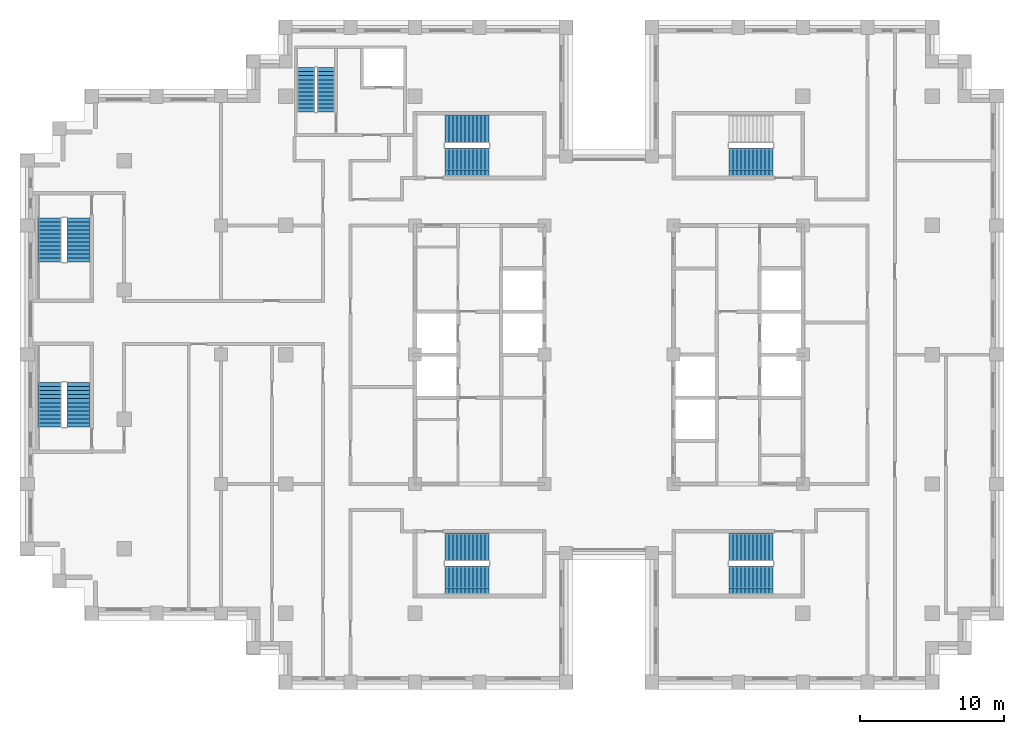
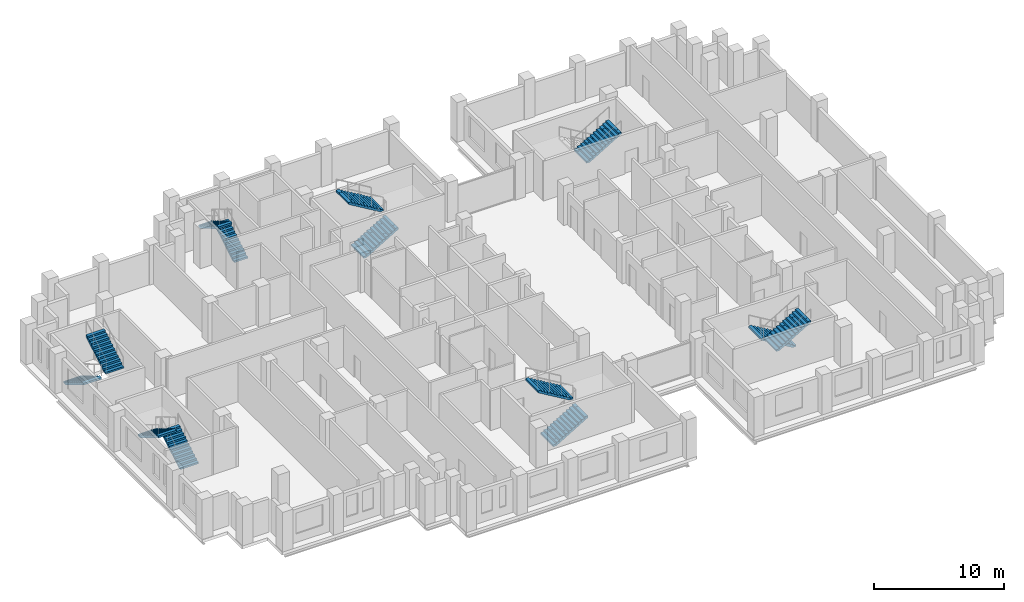
# One storey, part 12 of 15: 13 stair flights, 7 elements without a shape of their own.
"""IFC4 building model written with IfcOpenShell, lengths in metres."""

import ifcopenshell
import ifcopenshell.guid

model = None  # the IFC model being written
_history = None  # IfcOwnerHistory: only IFC2X3 demands one
_inside = {}  # id of a spatial element -> (the spatial element, [elements in it])
_under = {}  # id of a project, library or spatial element -> (it, [spatial elements below it])
_declared = {}  # id of a project -> (the project, [libraries it declares])
_typed = {}  # id of a type object -> (the type object, [elements of that type])
_made_of = {}  # id of a material, layer set ... -> (it, [elements and type objects made of it])


def new_model(schema):
    """Start an empty IFC model of exactly this schema.

    Asked for "IFC4X3", IfcOpenShell would pick the latest addendum, in which some entities
    have other attributes; the version numbers below select the first issue.
    IFC2X3 requires an IfcOwnerHistory on every rooted entity: one is made here for all.
    """
    global model, _history
    if schema == "IFC4X3":
        model = ifcopenshell.file(schema_version=(4, 3, 0, 0))
    else:
        model = ifcopenshell.file(schema=schema)
    _inside.clear()
    _under.clear()
    _declared.clear()
    _typed.clear()
    _made_of.clear()
    _history = None
    if model.schema == "IFC2X3":
        org = make("IfcOrganization", Name="unknown")
        user = make(
            "IfcPersonAndOrganization",
            ThePerson=make("IfcPerson", FamilyName="unknown"),
            TheOrganization=org,
        )
        app = make(
            "IfcApplication",
            ApplicationDeveloper=org,
            Version="unknown",
            ApplicationFullName="unknown",
            ApplicationIdentifier="unknown",
        )
        _history = make(
            "IfcOwnerHistory",
            OwningUser=user,
            OwningApplication=app,
            ChangeAction="ADDED",
            CreationDate=0,
        )
    return model


def make(cls, **values):
    """One entity of the class cls with the attributes given. An attribute that is None is left unset."""
    return model.create_entity(
        cls, **{name: value for name, value in values.items() if value is not None}
    )


def rooted(cls, **values):
    """An entity with a GlobalId (a new one), such as an element, a storey or a relation."""
    return make(cls, GlobalId=ifcopenshell.guid.new(), OwnerHistory=_history, **values)


def si_unit(unit_type, name, prefix=None):
    """IfcSIUnit, for example si_unit("LENGTHUNIT", "METRE", prefix="MILLI")."""
    return make("IfcSIUnit", UnitType=unit_type, Prefix=prefix, Name=name)


def assignment(units):
    """IfcUnitAssignment: the units of a project."""
    return None if units is None else make("IfcUnitAssignment", Units=units)


def point(xyz):
    """IfcCartesianPoint."""
    return None if xyz is None else make("IfcCartesianPoint", Coordinates=xyz)


def direction(xyz):
    """IfcDirection."""
    return None if xyz is None else make("IfcDirection", DirectionRatios=xyz)


def frame(location, z_axis=None, x_axis=None):
    """IfcAxis2Placement3D, a coordinate frame: its origin and axes. An axis left out is left unset."""
    return make(
        "IfcAxis2Placement3D",
        Location=point(location),
        Axis=direction(z_axis),
        RefDirection=direction(x_axis),
    )


def origin():
    """The frame at (0, 0, 0) with its axes left unset."""
    return frame((0.0, 0.0, 0.0))


def place(relative_to, where):
    """IfcLocalPlacement: puts the frame where relative to a parent placement (None: the world)."""
    return make(
        "IfcLocalPlacement", PlacementRelTo=relative_to, RelativePlacement=where
    )


def context(
    kind, dimensions, precision=None, world=None, true_north=None, identifier=None
):
    """IfcGeometricRepresentationContext, for example the 3D "Model" context."""
    return make(
        "IfcGeometricRepresentationContext",
        ContextIdentifier=identifier,
        ContextType=kind,
        CoordinateSpaceDimension=dimensions,
        Precision=precision,
        WorldCoordinateSystem=world,
        TrueNorth=true_north,
    )


def subcontext(parent, identifier, kind, view, scale=None):
    """IfcGeometricRepresentationSubContext, for example "Body" below "Model"."""
    return make(
        "IfcGeometricRepresentationSubContext",
        ContextIdentifier=identifier,
        ContextType=kind,
        ParentContext=parent,
        TargetScale=scale,
        TargetView=view,
    )


def project(units=None, contexts=None):
    """IfcProject with its units and contexts."""
    return rooted(
        "IfcProject",
        Name="project",
        RepresentationContexts=contexts,
        UnitsInContext=assignment(units),
    )


def spatial(cls, under=None, at=None, **own):
    """A site, building, storey or space (cls), placed at a placement, below another one or the project."""
    s = rooted(cls, ObjectPlacement=at, **own)
    if under is not None:
        _under.setdefault(under.id(), (under, []))[1].append(s)
    return s


def polyline(points):
    """IfcPolyline through the points."""
    return make("IfcPolyline", Points=[point(p) for p in points])


def outline(outer, holes=None, kind="AREA"):
    """IfcArbitraryClosedProfileDef: a profile drawn as a closed curve; with holes, ...WithVoids."""
    if holes is None:
        return make("IfcArbitraryClosedProfileDef", ProfileType=kind, OuterCurve=outer)
    return make(
        "IfcArbitraryProfileDefWithVoids",
        ProfileType=kind,
        OuterCurve=outer,
        InnerCurves=holes,
    )


def extrude(swept, where, along, depth):
    """IfcExtrudedAreaSolid: the profile swept, set in the frame where, extruded along a direction by depth."""
    return make(
        "IfcExtrudedAreaSolid",
        SweptArea=swept,
        Position=where,
        ExtrudedDirection=direction(along),
        Depth=depth,
    )


def shape(context_of_items, identifier, shape_type, items):
    """IfcShapeRepresentation: the items that make up one representation, for example the "Body"."""
    return make(
        "IfcShapeRepresentation",
        ContextOfItems=context_of_items,
        RepresentationIdentifier=identifier,
        RepresentationType=shape_type,
        Items=items,
    )


def material(Name=None, Category=None):
    """IfcMaterial."""
    return make("IfcMaterial", Name=Name, Category=Category)


def made_of(thing, what):
    """Note that an element or type object is made of a material, layer set ...; save() writes the relation."""
    if what is not None:
        _made_of.setdefault(what.id(), (what, []))[1].append(thing)
    return thing


def type_object(cls, material=None, **own):
    """A type object (cls), such as IfcWallType, which elements share."""
    return made_of(rooted(cls, **own), material)


def element(
    cls,
    number,
    at=None,
    inside=None,
    cuts=None,
    type_object=None,
    material=None,
    context=None,
    identifier="Body",
    shape_type=None,
    held_by="IfcProductDefinitionShape",
    body=None,
    shapes=None,
    **own,
):
    """One element of the class cls, such as IfcWall. Its Tag is "e" and its number.

    at: its placement. inside: the storey or other place that contains it. cuts: it is an
    opening in that element (IfcRelVoidsElement). A single representation is given by context,
    identifier, shape_type and body (its items); several are given by shapes. held_by: the class
    of the entity that holds the representations. save() writes the other relations.
    """
    e = rooted(cls, Tag="e%d" % number, ObjectPlacement=at, **own)
    if body is not None:
        shapes = [shape(context, identifier, shape_type, body)]
    if shapes is not None:
        e.Representation = make(held_by, Representations=shapes)
    if inside is not None:
        _inside.setdefault(inside.id(), (inside, []))[1].append(e)
    if cuts is not None:
        rooted(
            "IfcRelVoidsElement", RelatingBuildingElement=cuts, RelatedOpeningElement=e
        )
    if type_object is not None:
        _typed.setdefault(type_object.id(), (type_object, []))[1].append(e)
    return made_of(e, material)


def aggregate(whole, parts):
    """IfcRelAggregates: a whole, such as a stair, and the parts it consists of."""
    return rooted("IfcRelAggregates", RelatingObject=whole, RelatedObjects=parts)


def save(model, path):
    """Write the relations noted so far, then the file.

    IfcRelAggregates (storeys below a building ...), IfcRelContainedInSpatialStructure (elements
    in a storey), IfcRelDefinesByType, IfcRelAssociatesMaterial and IfcRelDeclares: one each for
    every whole, place, type object, material and project.
    """
    for whole, parts in _under.values():
        aggregate(whole, parts)
    for where, things in _inside.values():
        rooted(
            "IfcRelContainedInSpatialStructure",
            RelatedElements=things,
            RelatingStructure=where,
        )
    for kind, things in _typed.values():
        rooted("IfcRelDefinesByType", RelatedObjects=things, RelatingType=kind)
    for what, things in _made_of.values():
        rooted("IfcRelAssociatesMaterial", RelatedObjects=things, RelatingMaterial=what)
    for by, libraries in _declared.values():
        rooted("IfcRelDeclares", RelatingContext=by, RelatedDefinitions=libraries)
    model.write(path)


model = new_model("IFC4")

# Units and contexts
model_context = context("Model", 3, precision=1e-05, world=origin(), true_north=direction((0.0, 1.0)))
body_context = subcontext(model_context, "Body", "Model", "MODEL_VIEW")
ifc_project = project(units=[si_unit("LENGTHUNIT", "METRE"), si_unit("AREAUNIT", "SQUARE_METRE"), si_unit("VOLUMEUNIT", "CUBIC_METRE"), si_unit("PLANEANGLEUNIT", "RADIAN"), si_unit("MASSUNIT", "GRAM", prefix="KILO")], contexts=[model_context])

# Site, building, storey
site_placement = place(None, origin())
site = spatial("IfcSite", under=ifc_project, at=site_placement, CompositionType="ELEMENT")
building_placement = place(site_placement, origin())
building = spatial("IfcBuilding", under=site, at=building_placement, Name="Corbelhall Arena Tower", CompositionType="ELEMENT")
storey_placement = place(building_placement, frame((0.0, 0.0, 220.0)))
storey = spatial("IfcBuildingStorey", under=building, at=storey_placement, Name="L46", CompositionType="ELEMENT", Elevation=220.0)

# Stair, stair flights
ifc_material = material(Name="Concrete C40/50", Category="concrete")
stair_type = type_object("IfcStairType", Name="IN-ST-TOWER", PredefinedType="HALF_TURN_STAIR", material=ifc_material)
stair_1_placement = place(storey_placement, origin())
stair_1 = element("IfcStair", 1, at=stair_1_placement, inside=storey, type_object=stair_type, Name="L46 Exit stair ST1", PredefinedType="HALF_TURN_STAIR")
stair_flight_type = type_object("IfcStairFlightType", Name="IN-SFL-RC", PredefinedType="STRAIGHT", material=ifc_material)
stair_flight_1_placement = place(storey_placement, frame((-11.425048828125, 13.39990234375, 0.0), z_axis=(0.0, 0.0, 1.0), x_axis=(1.0, 0.0, 0.0)))
stair_flight_1 = element("IfcStairFlight", 2, at=stair_flight_1_placement, type_object=stair_flight_type, Name="ST1 flight 1", NumberOfRisers=12, NumberOfTreads=11, PredefinedType="STRAIGHT", RiserHeight=0.166666667, TreadLength=0.28, context=body_context, shape_type="SweptSolid", body=[
    extrude(outline(polyline([(0.0, 0.0), (0.0, 0.166748046875), (0.280029296875, 0.166748046875), (0.280029296875, 0.333251953125), (0.56005859375, 0.333251953125), (0.56005859375, 0.5), (0.840087890625, 0.5), (0.840087890625, 0.666748046875), (1.1201171875, 0.666748046875), (1.1201171875, 0.833251953125), (1.39990234375, 0.833251953125), (1.39990234375, 1.0), (1.679931640625, 1.0), (1.679931640625, 1.166748046875), (1.9599609375, 1.166748046875), (1.9599609375, 1.333251953125), (2.239990234375, 1.333251953125), (2.239990234375, 1.5), (2.52001953125, 1.5), (2.52001953125, 1.666748046875), (2.800048828125, 1.666748046875), (2.800048828125, 1.833251953125), (3.080078125, 1.833251953125), (3.080078125, 2.0), (3.080078125, 1.658935546875), (0.29296875, 0.0), (0.0, 0.0)])), frame((0.0, 0.97509765625, 0.0), z_axis=(0.0, -1.0, 0.0), x_axis=(1.0, 0.0, 0.0)), (0.0, 0.0, 1.0), 0.449951171875),
    extrude(outline(polyline([(0.0, 0.0), (0.0, 0.166748046875), (0.280029296875, 0.166748046875), (0.280029296875, 0.333251953125), (0.56005859375, 0.333251953125), (0.56005859375, 0.5), (0.840087890625, 0.5), (0.840087890625, 0.666748046875), (1.1201171875, 0.666748046875), (1.1201171875, 0.833251953125), (1.39990234375, 0.833251953125), (1.39990234375, 1.0), (1.679931640625, 1.0), (1.679931640625, 1.166748046875), (1.9599609375, 1.166748046875), (1.9599609375, 1.333251953125), (2.239990234375, 1.333251953125), (2.239990234375, 1.5), (2.52001953125, 1.5), (2.52001953125, 1.666748046875), (2.800048828125, 1.666748046875), (2.800048828125, 1.833251953125), (3.080078125, 1.833251953125), (3.080078125, 2.0), (3.080078125, 1.658935546875), (0.29296875, 0.0), (0.0, 0.0)])), frame((0.0, 0.52099609375, 0.0), z_axis=(0.0, -1.0, 0.0), x_axis=(1.0, 0.0, 0.0)), (0.0, 0.0, 1.0), 1.0419921875),
    extrude(outline(polyline([(0.0, 0.0), (0.0, 0.166748046875), (0.280029296875, 0.166748046875), (0.280029296875, 0.333251953125), (0.56005859375, 0.333251953125), (0.56005859375, 0.5), (0.840087890625, 0.5), (0.840087890625, 0.666748046875), (1.1201171875, 0.666748046875), (1.1201171875, 0.833251953125), (1.39990234375, 0.833251953125), (1.39990234375, 1.0), (1.679931640625, 1.0), (1.679931640625, 1.166748046875), (1.9599609375, 1.166748046875), (1.9599609375, 1.333251953125), (2.239990234375, 1.333251953125), (2.239990234375, 1.5), (2.52001953125, 1.5), (2.52001953125, 1.666748046875), (2.800048828125, 1.666748046875), (2.800048828125, 1.833251953125), (3.080078125, 1.833251953125), (3.080078125, 2.0), (3.080078125, 1.658935546875), (0.29296875, 0.0), (0.0, 0.0)])), frame((0.0, -0.52490234375, 0.0), z_axis=(0.0, -1.0, 0.0), x_axis=(1.0, 0.0, 0.0)), (0.0, 0.0, 1.0), 0.449951171875),
])
stair_flight_2_placement = place(storey_placement, frame((-8.344970703125, 15.699951171875, 2.0), z_axis=(0.0, 0.0, 1.0), x_axis=(-1.0, 0.0, 0.0)))
stair_flight_2 = element("IfcStairFlight", 3, at=stair_flight_2_placement, type_object=stair_flight_type, Name="ST1 flight 2", NumberOfRisers=12, NumberOfTreads=11, PredefinedType="STRAIGHT", RiserHeight=0.166666667, TreadLength=0.28, context=body_context, shape_type="SweptSolid", body=[
    extrude(outline(polyline([(0.0, 0.0), (0.0, 0.166748046875), (0.280029296875, 0.166748046875), (0.280029296875, 0.333251953125), (0.56005859375, 0.333251953125), (0.56005859375, 0.5), (0.840087890625, 0.5), (0.840087890625, 0.666748046875), (1.1201171875, 0.666748046875), (1.1201171875, 0.833251953125), (1.39990234375, 0.833251953125), (1.39990234375, 1.0), (1.679931640625, 1.0), (1.679931640625, 1.166748046875), (1.9599609375, 1.166748046875), (1.9599609375, 1.333251953125), (2.239990234375, 1.333251953125), (2.239990234375, 1.5), (2.52001953125, 1.5), (2.52001953125, 1.666748046875), (2.800048828125, 1.666748046875), (2.800048828125, 1.833251953125), (3.080078125, 1.833251953125), (3.080078125, 2.0), (3.080078125, 1.658935546875), (0.29296875, 0.0), (0.0, 0.0)])), frame((0.0, 0.97509765625, 0.0), z_axis=(0.0, -1.0, 0.0), x_axis=(1.0, 0.0, 0.0)), (0.0, 0.0, 1.0), 0.449951171875),
    extrude(outline(polyline([(0.0, 0.0), (0.0, 0.166748046875), (0.280029296875, 0.166748046875), (0.280029296875, 0.333251953125), (0.56005859375, 0.333251953125), (0.56005859375, 0.5), (0.840087890625, 0.5), (0.840087890625, 0.666748046875), (1.1201171875, 0.666748046875), (1.1201171875, 0.833251953125), (1.39990234375, 0.833251953125), (1.39990234375, 1.0), (1.679931640625, 1.0), (1.679931640625, 1.166748046875), (1.9599609375, 1.166748046875), (1.9599609375, 1.333251953125), (2.239990234375, 1.333251953125), (2.239990234375, 1.5), (2.52001953125, 1.5), (2.52001953125, 1.666748046875), (2.800048828125, 1.666748046875), (2.800048828125, 1.833251953125), (3.080078125, 1.833251953125), (3.080078125, 2.0), (3.080078125, 1.658935546875), (0.29296875, 0.0), (0.0, 0.0)])), frame((0.0, 0.52099609375, 0.0), z_axis=(0.0, -1.0, 0.0), x_axis=(1.0, 0.0, 0.0)), (0.0, 0.0, 1.0), 1.0419921875),
    extrude(outline(polyline([(0.0, 0.0), (0.0, 0.166748046875), (0.280029296875, 0.166748046875), (0.280029296875, 0.333251953125), (0.56005859375, 0.333251953125), (0.56005859375, 0.5), (0.840087890625, 0.5), (0.840087890625, 0.666748046875), (1.1201171875, 0.666748046875), (1.1201171875, 0.833251953125), (1.39990234375, 0.833251953125), (1.39990234375, 1.0), (1.679931640625, 1.0), (1.679931640625, 1.166748046875), (1.9599609375, 1.166748046875), (1.9599609375, 1.333251953125), (2.239990234375, 1.333251953125), (2.239990234375, 1.5), (2.52001953125, 1.5), (2.52001953125, 1.666748046875), (2.800048828125, 1.666748046875), (2.800048828125, 1.833251953125), (3.080078125, 1.833251953125), (3.080078125, 2.0), (3.080078125, 1.658935546875), (0.29296875, 0.0), (0.0, 0.0)])), frame((0.0, -0.52490234375, 0.0), z_axis=(0.0, -1.0, 0.0), x_axis=(1.0, 0.0, 0.0)), (0.0, 0.0, 1.0), 0.449951171875),
])
aggregate(stair_1, [stair_flight_1, stair_flight_2])

stair_2_placement = place(storey_placement, origin())
stair_2 = element("IfcStair", 4, at=stair_2_placement, inside=storey, type_object=stair_type, Name="L46 Exit stair ST2", PredefinedType="HALF_TURN_STAIR")
stair_flight_3_placement = place(storey_placement, frame((-11.425048828125, -15.699951171875, 0.0), z_axis=(0.0, 0.0, 1.0), x_axis=(1.0, 0.0, 0.0)))
stair_flight_3 = element("IfcStairFlight", 5, at=stair_flight_3_placement, type_object=stair_flight_type, Name="ST2 flight 1", NumberOfRisers=12, NumberOfTreads=11, PredefinedType="STRAIGHT", RiserHeight=0.166666667, TreadLength=0.28, context=body_context, shape_type="SweptSolid", body=[
    extrude(outline(polyline([(0.0, 0.0), (0.0, 0.166748046875), (0.280029296875, 0.166748046875), (0.280029296875, 0.333251953125), (0.56005859375, 0.333251953125), (0.56005859375, 0.5), (0.840087890625, 0.5), (0.840087890625, 0.666748046875), (1.1201171875, 0.666748046875), (1.1201171875, 0.833251953125), (1.39990234375, 0.833251953125), (1.39990234375, 1.0), (1.679931640625, 1.0), (1.679931640625, 1.166748046875), (1.9599609375, 1.166748046875), (1.9599609375, 1.333251953125), (2.239990234375, 1.333251953125), (2.239990234375, 1.5), (2.52001953125, 1.5), (2.52001953125, 1.666748046875), (2.800048828125, 1.666748046875), (2.800048828125, 1.833251953125), (3.080078125, 1.833251953125), (3.080078125, 2.0), (3.080078125, 1.658935546875), (0.29296875, 0.0), (0.0, 0.0)])), frame((0.0, 0.97509765625, 0.0), z_axis=(0.0, -1.0, 0.0), x_axis=(1.0, 0.0, 0.0)), (0.0, 0.0, 1.0), 0.449951171875),
    extrude(outline(polyline([(0.0, 0.0), (0.0, 0.166748046875), (0.280029296875, 0.166748046875), (0.280029296875, 0.333251953125), (0.56005859375, 0.333251953125), (0.56005859375, 0.5), (0.840087890625, 0.5), (0.840087890625, 0.666748046875), (1.1201171875, 0.666748046875), (1.1201171875, 0.833251953125), (1.39990234375, 0.833251953125), (1.39990234375, 1.0), (1.679931640625, 1.0), (1.679931640625, 1.166748046875), (1.9599609375, 1.166748046875), (1.9599609375, 1.333251953125), (2.239990234375, 1.333251953125), (2.239990234375, 1.5), (2.52001953125, 1.5), (2.52001953125, 1.666748046875), (2.800048828125, 1.666748046875), (2.800048828125, 1.833251953125), (3.080078125, 1.833251953125), (3.080078125, 2.0), (3.080078125, 1.658935546875), (0.29296875, 0.0), (0.0, 0.0)])), frame((0.0, 0.52099609375, 0.0), z_axis=(0.0, -1.0, 0.0), x_axis=(1.0, 0.0, 0.0)), (0.0, 0.0, 1.0), 1.0419921875),
    extrude(outline(polyline([(0.0, 0.0), (0.0, 0.166748046875), (0.280029296875, 0.166748046875), (0.280029296875, 0.333251953125), (0.56005859375, 0.333251953125), (0.56005859375, 0.5), (0.840087890625, 0.5), (0.840087890625, 0.666748046875), (1.1201171875, 0.666748046875), (1.1201171875, 0.833251953125), (1.39990234375, 0.833251953125), (1.39990234375, 1.0), (1.679931640625, 1.0), (1.679931640625, 1.166748046875), (1.9599609375, 1.166748046875), (1.9599609375, 1.333251953125), (2.239990234375, 1.333251953125), (2.239990234375, 1.5), (2.52001953125, 1.5), (2.52001953125, 1.666748046875), (2.800048828125, 1.666748046875), (2.800048828125, 1.833251953125), (3.080078125, 1.833251953125), (3.080078125, 2.0), (3.080078125, 1.658935546875), (0.29296875, 0.0), (0.0, 0.0)])), frame((0.0, -0.52490234375, 0.0), z_axis=(0.0, -1.0, 0.0), x_axis=(1.0, 0.0, 0.0)), (0.0, 0.0, 1.0), 0.449951171875),
])
stair_flight_4_placement = place(storey_placement, frame((-8.344970703125, -13.39990234375, 2.0), z_axis=(0.0, 0.0, 1.0), x_axis=(-1.0, 0.0, 0.0)))
stair_flight_4 = element("IfcStairFlight", 6, at=stair_flight_4_placement, type_object=stair_flight_type, Name="ST2 flight 2", NumberOfRisers=12, NumberOfTreads=11, PredefinedType="STRAIGHT", RiserHeight=0.166666667, TreadLength=0.28, context=body_context, shape_type="SweptSolid", body=[
    extrude(outline(polyline([(0.0, 0.0), (0.0, 0.166748046875), (0.280029296875, 0.166748046875), (0.280029296875, 0.333251953125), (0.56005859375, 0.333251953125), (0.56005859375, 0.5), (0.840087890625, 0.5), (0.840087890625, 0.666748046875), (1.1201171875, 0.666748046875), (1.1201171875, 0.833251953125), (1.39990234375, 0.833251953125), (1.39990234375, 1.0), (1.679931640625, 1.0), (1.679931640625, 1.166748046875), (1.9599609375, 1.166748046875), (1.9599609375, 1.333251953125), (2.239990234375, 1.333251953125), (2.239990234375, 1.5), (2.52001953125, 1.5), (2.52001953125, 1.666748046875), (2.800048828125, 1.666748046875), (2.800048828125, 1.833251953125), (3.080078125, 1.833251953125), (3.080078125, 2.0), (3.080078125, 1.658935546875), (0.29296875, 0.0), (0.0, 0.0)])), frame((0.0, 0.97509765625, 0.0), z_axis=(0.0, -1.0, 0.0), x_axis=(1.0, 0.0, 0.0)), (0.0, 0.0, 1.0), 0.449951171875),
    extrude(outline(polyline([(0.0, 0.0), (0.0, 0.166748046875), (0.280029296875, 0.166748046875), (0.280029296875, 0.333251953125), (0.56005859375, 0.333251953125), (0.56005859375, 0.5), (0.840087890625, 0.5), (0.840087890625, 0.666748046875), (1.1201171875, 0.666748046875), (1.1201171875, 0.833251953125), (1.39990234375, 0.833251953125), (1.39990234375, 1.0), (1.679931640625, 1.0), (1.679931640625, 1.166748046875), (1.9599609375, 1.166748046875), (1.9599609375, 1.333251953125), (2.239990234375, 1.333251953125), (2.239990234375, 1.5), (2.52001953125, 1.5), (2.52001953125, 1.666748046875), (2.800048828125, 1.666748046875), (2.800048828125, 1.833251953125), (3.080078125, 1.833251953125), (3.080078125, 2.0), (3.080078125, 1.658935546875), (0.29296875, 0.0), (0.0, 0.0)])), frame((0.0, 0.52099609375, 0.0), z_axis=(0.0, -1.0, 0.0), x_axis=(1.0, 0.0, 0.0)), (0.0, 0.0, 1.0), 1.0419921875),
    extrude(outline(polyline([(0.0, 0.0), (0.0, 0.166748046875), (0.280029296875, 0.166748046875), (0.280029296875, 0.333251953125), (0.56005859375, 0.333251953125), (0.56005859375, 0.5), (0.840087890625, 0.5), (0.840087890625, 0.666748046875), (1.1201171875, 0.666748046875), (1.1201171875, 0.833251953125), (1.39990234375, 0.833251953125), (1.39990234375, 1.0), (1.679931640625, 1.0), (1.679931640625, 1.166748046875), (1.9599609375, 1.166748046875), (1.9599609375, 1.333251953125), (2.239990234375, 1.333251953125), (2.239990234375, 1.5), (2.52001953125, 1.5), (2.52001953125, 1.666748046875), (2.800048828125, 1.666748046875), (2.800048828125, 1.833251953125), (3.080078125, 1.833251953125), (3.080078125, 2.0), (3.080078125, 1.658935546875), (0.29296875, 0.0), (0.0, 0.0)])), frame((0.0, -0.52490234375, 0.0), z_axis=(0.0, -1.0, 0.0), x_axis=(1.0, 0.0, 0.0)), (0.0, 0.0, 1.0), 0.449951171875),
])
aggregate(stair_2, [stair_flight_3, stair_flight_4])

# Stair, stair flight
stair_3_placement = place(storey_placement, origin())
stair_3 = element("IfcStair", 7, at=stair_3_placement, inside=storey, type_object=stair_type, Name="L46 Exit stair ST3", PredefinedType="HALF_TURN_STAIR")
stair_flight_5_placement = place(storey_placement, frame((8.344970703125, 13.39990234375, 2.0), z_axis=(0.0, 0.0, 1.0), x_axis=(1.0, 0.0, 0.0)))
stair_flight_5 = element("IfcStairFlight", 8, at=stair_flight_5_placement, type_object=stair_flight_type, Name="ST3 flight 2", NumberOfRisers=12, NumberOfTreads=11, PredefinedType="STRAIGHT", RiserHeight=0.166666667, TreadLength=0.28, context=body_context, shape_type="SweptSolid", body=[
    extrude(outline(polyline([(0.0, 0.0), (0.0, 0.166748046875), (0.280029296875, 0.166748046875), (0.280029296875, 0.333251953125), (0.56005859375, 0.333251953125), (0.56005859375, 0.5), (0.840087890625, 0.5), (0.840087890625, 0.666748046875), (1.1201171875, 0.666748046875), (1.1201171875, 0.833251953125), (1.39990234375, 0.833251953125), (1.39990234375, 1.0), (1.679931640625, 1.0), (1.679931640625, 1.166748046875), (1.9599609375, 1.166748046875), (1.9599609375, 1.333251953125), (2.239990234375, 1.333251953125), (2.239990234375, 1.5), (2.52001953125, 1.5), (2.52001953125, 1.666748046875), (2.800048828125, 1.666748046875), (2.800048828125, 1.833251953125), (3.080078125, 1.833251953125), (3.080078125, 2.0), (3.080078125, 1.658935546875), (0.29296875, 0.0), (0.0, 0.0)])), frame((0.0, 0.97509765625, 0.0), z_axis=(0.0, -1.0, 0.0), x_axis=(1.0, 0.0, 0.0)), (0.0, 0.0, 1.0), 0.449951171875),
    extrude(outline(polyline([(0.0, 0.0), (0.0, 0.166748046875), (0.280029296875, 0.166748046875), (0.280029296875, 0.333251953125), (0.56005859375, 0.333251953125), (0.56005859375, 0.5), (0.840087890625, 0.5), (0.840087890625, 0.666748046875), (1.1201171875, 0.666748046875), (1.1201171875, 0.833251953125), (1.39990234375, 0.833251953125), (1.39990234375, 1.0), (1.679931640625, 1.0), (1.679931640625, 1.166748046875), (1.9599609375, 1.166748046875), (1.9599609375, 1.333251953125), (2.239990234375, 1.333251953125), (2.239990234375, 1.5), (2.52001953125, 1.5), (2.52001953125, 1.666748046875), (2.800048828125, 1.666748046875), (2.800048828125, 1.833251953125), (3.080078125, 1.833251953125), (3.080078125, 2.0), (3.080078125, 1.658935546875), (0.29296875, 0.0), (0.0, 0.0)])), frame((0.0, 0.52099609375, 0.0), z_axis=(0.0, -1.0, 0.0), x_axis=(1.0, 0.0, 0.0)), (0.0, 0.0, 1.0), 1.0419921875),
    extrude(outline(polyline([(0.0, 0.0), (0.0, 0.166748046875), (0.280029296875, 0.166748046875), (0.280029296875, 0.333251953125), (0.56005859375, 0.333251953125), (0.56005859375, 0.5), (0.840087890625, 0.5), (0.840087890625, 0.666748046875), (1.1201171875, 0.666748046875), (1.1201171875, 0.833251953125), (1.39990234375, 0.833251953125), (1.39990234375, 1.0), (1.679931640625, 1.0), (1.679931640625, 1.166748046875), (1.9599609375, 1.166748046875), (1.9599609375, 1.333251953125), (2.239990234375, 1.333251953125), (2.239990234375, 1.5), (2.52001953125, 1.5), (2.52001953125, 1.666748046875), (2.800048828125, 1.666748046875), (2.800048828125, 1.833251953125), (3.080078125, 1.833251953125), (3.080078125, 2.0), (3.080078125, 1.658935546875), (0.29296875, 0.0), (0.0, 0.0)])), frame((0.0, -0.52490234375, 0.0), z_axis=(0.0, -1.0, 0.0), x_axis=(1.0, 0.0, 0.0)), (0.0, 0.0, 1.0), 0.449951171875),
])
aggregate(stair_3, [stair_flight_5])

# Stair, stair flights
stair_4_placement = place(storey_placement, origin())
stair_4 = element("IfcStair", 9, at=stair_4_placement, inside=storey, type_object=stair_type, Name="L46 Exit stair ST4", PredefinedType="HALF_TURN_STAIR")
stair_flight_6_placement = place(storey_placement, frame((11.425048828125, -13.39990234375, 0.0), z_axis=(0.0, 0.0, 1.0), x_axis=(-1.0, 0.0, 0.0)))
stair_flight_6 = element("IfcStairFlight", 10, at=stair_flight_6_placement, type_object=stair_flight_type, Name="ST4 flight 1", NumberOfRisers=12, NumberOfTreads=11, PredefinedType="STRAIGHT", RiserHeight=0.166666667, TreadLength=0.28, context=body_context, shape_type="SweptSolid", body=[
    extrude(outline(polyline([(0.0, 0.0), (0.0, 0.166748046875), (0.280029296875, 0.166748046875), (0.280029296875, 0.333251953125), (0.56005859375, 0.333251953125), (0.56005859375, 0.5), (0.840087890625, 0.5), (0.840087890625, 0.666748046875), (1.1201171875, 0.666748046875), (1.1201171875, 0.833251953125), (1.39990234375, 0.833251953125), (1.39990234375, 1.0), (1.679931640625, 1.0), (1.679931640625, 1.166748046875), (1.9599609375, 1.166748046875), (1.9599609375, 1.333251953125), (2.239990234375, 1.333251953125), (2.239990234375, 1.5), (2.52001953125, 1.5), (2.52001953125, 1.666748046875), (2.800048828125, 1.666748046875), (2.800048828125, 1.833251953125), (3.080078125, 1.833251953125), (3.080078125, 2.0), (3.080078125, 1.658935546875), (0.29296875, 0.0), (0.0, 0.0)])), frame((0.0, 0.97509765625, 0.0), z_axis=(0.0, -1.0, 0.0), x_axis=(1.0, 0.0, 0.0)), (0.0, 0.0, 1.0), 0.449951171875),
    extrude(outline(polyline([(0.0, 0.0), (0.0, 0.166748046875), (0.280029296875, 0.166748046875), (0.280029296875, 0.333251953125), (0.56005859375, 0.333251953125), (0.56005859375, 0.5), (0.840087890625, 0.5), (0.840087890625, 0.666748046875), (1.1201171875, 0.666748046875), (1.1201171875, 0.833251953125), (1.39990234375, 0.833251953125), (1.39990234375, 1.0), (1.679931640625, 1.0), (1.679931640625, 1.166748046875), (1.9599609375, 1.166748046875), (1.9599609375, 1.333251953125), (2.239990234375, 1.333251953125), (2.239990234375, 1.5), (2.52001953125, 1.5), (2.52001953125, 1.666748046875), (2.800048828125, 1.666748046875), (2.800048828125, 1.833251953125), (3.080078125, 1.833251953125), (3.080078125, 2.0), (3.080078125, 1.658935546875), (0.29296875, 0.0), (0.0, 0.0)])), frame((0.0, 0.52099609375, 0.0), z_axis=(0.0, -1.0, 0.0), x_axis=(1.0, 0.0, 0.0)), (0.0, 0.0, 1.0), 1.0419921875),
    extrude(outline(polyline([(0.0, 0.0), (0.0, 0.166748046875), (0.280029296875, 0.166748046875), (0.280029296875, 0.333251953125), (0.56005859375, 0.333251953125), (0.56005859375, 0.5), (0.840087890625, 0.5), (0.840087890625, 0.666748046875), (1.1201171875, 0.666748046875), (1.1201171875, 0.833251953125), (1.39990234375, 0.833251953125), (1.39990234375, 1.0), (1.679931640625, 1.0), (1.679931640625, 1.166748046875), (1.9599609375, 1.166748046875), (1.9599609375, 1.333251953125), (2.239990234375, 1.333251953125), (2.239990234375, 1.5), (2.52001953125, 1.5), (2.52001953125, 1.666748046875), (2.800048828125, 1.666748046875), (2.800048828125, 1.833251953125), (3.080078125, 1.833251953125), (3.080078125, 2.0), (3.080078125, 1.658935546875), (0.29296875, 0.0), (0.0, 0.0)])), frame((0.0, -0.52490234375, 0.0), z_axis=(0.0, -1.0, 0.0), x_axis=(1.0, 0.0, 0.0)), (0.0, 0.0, 1.0), 0.449951171875),
])
stair_flight_7_placement = place(storey_placement, frame((8.344970703125, -15.699951171875, 2.0), z_axis=(0.0, 0.0, 1.0), x_axis=(1.0, 0.0, 0.0)))
stair_flight_7 = element("IfcStairFlight", 11, at=stair_flight_7_placement, type_object=stair_flight_type, Name="ST4 flight 2", NumberOfRisers=12, NumberOfTreads=11, PredefinedType="STRAIGHT", RiserHeight=0.166666667, TreadLength=0.28, context=body_context, shape_type="SweptSolid", body=[
    extrude(outline(polyline([(0.0, 0.0), (0.0, 0.166748046875), (0.280029296875, 0.166748046875), (0.280029296875, 0.333251953125), (0.56005859375, 0.333251953125), (0.56005859375, 0.5), (0.840087890625, 0.5), (0.840087890625, 0.666748046875), (1.1201171875, 0.666748046875), (1.1201171875, 0.833251953125), (1.39990234375, 0.833251953125), (1.39990234375, 1.0), (1.679931640625, 1.0), (1.679931640625, 1.166748046875), (1.9599609375, 1.166748046875), (1.9599609375, 1.333251953125), (2.239990234375, 1.333251953125), (2.239990234375, 1.5), (2.52001953125, 1.5), (2.52001953125, 1.666748046875), (2.800048828125, 1.666748046875), (2.800048828125, 1.833251953125), (3.080078125, 1.833251953125), (3.080078125, 2.0), (3.080078125, 1.658935546875), (0.29296875, 0.0), (0.0, 0.0)])), frame((0.0, 0.97509765625, 0.0), z_axis=(0.0, -1.0, 0.0), x_axis=(1.0, 0.0, 0.0)), (0.0, 0.0, 1.0), 0.449951171875),
    extrude(outline(polyline([(0.0, 0.0), (0.0, 0.166748046875), (0.280029296875, 0.166748046875), (0.280029296875, 0.333251953125), (0.56005859375, 0.333251953125), (0.56005859375, 0.5), (0.840087890625, 0.5), (0.840087890625, 0.666748046875), (1.1201171875, 0.666748046875), (1.1201171875, 0.833251953125), (1.39990234375, 0.833251953125), (1.39990234375, 1.0), (1.679931640625, 1.0), (1.679931640625, 1.166748046875), (1.9599609375, 1.166748046875), (1.9599609375, 1.333251953125), (2.239990234375, 1.333251953125), (2.239990234375, 1.5), (2.52001953125, 1.5), (2.52001953125, 1.666748046875), (2.800048828125, 1.666748046875), (2.800048828125, 1.833251953125), (3.080078125, 1.833251953125), (3.080078125, 2.0), (3.080078125, 1.658935546875), (0.29296875, 0.0), (0.0, 0.0)])), frame((0.0, 0.52099609375, 0.0), z_axis=(0.0, -1.0, 0.0), x_axis=(1.0, 0.0, 0.0)), (0.0, 0.0, 1.0), 1.0419921875),
    extrude(outline(polyline([(0.0, 0.0), (0.0, 0.166748046875), (0.280029296875, 0.166748046875), (0.280029296875, 0.333251953125), (0.56005859375, 0.333251953125), (0.56005859375, 0.5), (0.840087890625, 0.5), (0.840087890625, 0.666748046875), (1.1201171875, 0.666748046875), (1.1201171875, 0.833251953125), (1.39990234375, 0.833251953125), (1.39990234375, 1.0), (1.679931640625, 1.0), (1.679931640625, 1.166748046875), (1.9599609375, 1.166748046875), (1.9599609375, 1.333251953125), (2.239990234375, 1.333251953125), (2.239990234375, 1.5), (2.52001953125, 1.5), (2.52001953125, 1.666748046875), (2.800048828125, 1.666748046875), (2.800048828125, 1.833251953125), (3.080078125, 1.833251953125), (3.080078125, 2.0), (3.080078125, 1.658935546875), (0.29296875, 0.0), (0.0, 0.0)])), frame((0.0, -0.52490234375, 0.0), z_axis=(0.0, -1.0, 0.0), x_axis=(1.0, 0.0, 0.0)), (0.0, 0.0, 1.0), 0.449951171875),
])
aggregate(stair_4, [stair_flight_6, stair_flight_7])

stair_5_placement = place(storey_placement, origin())
stair_5 = element("IfcStair", 12, at=stair_5_placement, inside=storey, type_object=stair_type, Name="L46 Exit stair SC1", PredefinedType="HALF_TURN_STAIR")
stair_flight_8_placement = place(storey_placement, frame((-38.89990234375, 9.52490234375, 0.0), z_axis=(0.0, 0.0, 1.0), x_axis=(0.0, -1.0, 0.0)))
stair_flight_8 = element("IfcStairFlight", 13, at=stair_flight_8_placement, type_object=stair_flight_type, Name="SC1 flight 1", NumberOfRisers=12, NumberOfTreads=11, PredefinedType="STRAIGHT", RiserHeight=0.166666667, TreadLength=0.28, context=body_context, shape_type="SweptSolid", body=[
    extrude(outline(polyline([(0.0, 0.0), (0.0, 0.166748046875), (0.280029296875, 0.166748046875), (0.280029296875, 0.333251953125), (0.56005859375, 0.333251953125), (0.56005859375, 0.5), (0.840087890625, 0.5), (0.840087890625, 0.666748046875), (1.1201171875, 0.666748046875), (1.1201171875, 0.833251953125), (1.39990234375, 0.833251953125), (1.39990234375, 1.0), (1.679931640625, 1.0), (1.679931640625, 1.166748046875), (1.9599609375, 1.166748046875), (1.9599609375, 1.333251953125), (2.239990234375, 1.333251953125), (2.239990234375, 1.5), (2.52001953125, 1.5), (2.52001953125, 1.666748046875), (2.800048828125, 1.666748046875), (2.800048828125, 1.833251953125), (3.080078125, 1.833251953125), (3.080078125, 2.0), (3.080078125, 1.658935546875), (0.29296875, 0.0), (0.0, 0.0)])), frame((0.0, 0.800048828125, 0.0), z_axis=(0.0, -1.0, 0.0), x_axis=(1.0, 0.0, 0.0)), (0.0, 0.0, 1.0), 1.60009765625),
])
stair_flight_9_placement = place(storey_placement, frame((-36.925048828125, 6.445068359375, 2.0), z_axis=(0.0, 0.0, 1.0), x_axis=(0.0, 1.0, 0.0)))
stair_flight_9 = element("IfcStairFlight", 14, at=stair_flight_9_placement, type_object=stair_flight_type, Name="SC1 flight 2", NumberOfRisers=12, NumberOfTreads=11, PredefinedType="STRAIGHT", RiserHeight=0.166666667, TreadLength=0.28, context=body_context, shape_type="SweptSolid", body=[
    extrude(outline(polyline([(0.0, 0.0), (0.0, 0.166748046875), (0.280029296875, 0.166748046875), (0.280029296875, 0.333251953125), (0.56005859375, 0.333251953125), (0.56005859375, 0.5), (0.840087890625, 0.5), (0.840087890625, 0.666748046875), (1.1201171875, 0.666748046875), (1.1201171875, 0.833251953125), (1.39990234375, 0.833251953125), (1.39990234375, 1.0), (1.679931640625, 1.0), (1.679931640625, 1.166748046875), (1.9599609375, 1.166748046875), (1.9599609375, 1.333251953125), (2.239990234375, 1.333251953125), (2.239990234375, 1.5), (2.52001953125, 1.5), (2.52001953125, 1.666748046875), (2.800048828125, 1.666748046875), (2.800048828125, 1.833251953125), (3.080078125, 1.833251953125), (3.080078125, 2.0), (3.080078125, 1.658935546875), (0.29296875, 0.0), (0.0, 0.0)])), frame((0.0, 0.800048828125, 0.0), z_axis=(0.0, -1.0, 0.0), x_axis=(1.0, 0.0, 0.0)), (0.0, 0.0, 1.0), 1.60009765625),
])
aggregate(stair_5, [stair_flight_8, stair_flight_9])

stair_6_placement = place(storey_placement, origin())
stair_6 = element("IfcStair", 15, at=stair_6_placement, inside=storey, type_object=stair_type, Name="L46 Exit stair SC2", PredefinedType="HALF_TURN_STAIR")
stair_flight_10_placement = place(storey_placement, frame((-36.925048828125, -5.02490234375, 0.0), z_axis=(0.0, 0.0, 1.0), x_axis=(0.0, 1.0, 0.0)))
stair_flight_10 = element("IfcStairFlight", 16, at=stair_flight_10_placement, type_object=stair_flight_type, Name="SC2 flight 1", NumberOfRisers=12, NumberOfTreads=11, PredefinedType="STRAIGHT", RiserHeight=0.166666667, TreadLength=0.28, context=body_context, shape_type="SweptSolid", body=[
    extrude(outline(polyline([(0.0, 0.0), (0.0, 0.166748046875), (0.280029296875, 0.166748046875), (0.280029296875, 0.333251953125), (0.56005859375, 0.333251953125), (0.56005859375, 0.5), (0.840087890625, 0.5), (0.840087890625, 0.666748046875), (1.1201171875, 0.666748046875), (1.1201171875, 0.833251953125), (1.39990234375, 0.833251953125), (1.39990234375, 1.0), (1.679931640625, 1.0), (1.679931640625, 1.166748046875), (1.9599609375, 1.166748046875), (1.9599609375, 1.333251953125), (2.239990234375, 1.333251953125), (2.239990234375, 1.5), (2.52001953125, 1.5), (2.52001953125, 1.666748046875), (2.800048828125, 1.666748046875), (2.800048828125, 1.833251953125), (3.080078125, 1.833251953125), (3.080078125, 2.0), (3.080078125, 1.658935546875), (0.29296875, 0.0), (0.0, 0.0)])), frame((0.0, 0.800048828125, 0.0), z_axis=(0.0, -1.0, 0.0), x_axis=(1.0, 0.0, 0.0)), (0.0, 0.0, 1.0), 1.60009765625),
])
stair_flight_11_placement = place(storey_placement, frame((-38.89990234375, -1.945068359375, 2.0), z_axis=(0.0, 0.0, 1.0), x_axis=(0.0, -1.0, 0.0)))
stair_flight_11 = element("IfcStairFlight", 17, at=stair_flight_11_placement, type_object=stair_flight_type, Name="SC2 flight 2", NumberOfRisers=12, NumberOfTreads=11, PredefinedType="STRAIGHT", RiserHeight=0.166666667, TreadLength=0.28, context=body_context, shape_type="SweptSolid", body=[
    extrude(outline(polyline([(0.0, 0.0), (0.0, 0.166748046875), (0.280029296875, 0.166748046875), (0.280029296875, 0.333251953125), (0.56005859375, 0.333251953125), (0.56005859375, 0.5), (0.840087890625, 0.5), (0.840087890625, 0.666748046875), (1.1201171875, 0.666748046875), (1.1201171875, 0.833251953125), (1.39990234375, 0.833251953125), (1.39990234375, 1.0), (1.679931640625, 1.0), (1.679931640625, 1.166748046875), (1.9599609375, 1.166748046875), (1.9599609375, 1.333251953125), (2.239990234375, 1.333251953125), (2.239990234375, 1.5), (2.52001953125, 1.5), (2.52001953125, 1.666748046875), (2.800048828125, 1.666748046875), (2.800048828125, 1.833251953125), (3.080078125, 1.833251953125), (3.080078125, 2.0), (3.080078125, 1.658935546875), (0.29296875, 0.0), (0.0, 0.0)])), frame((0.0, 0.800048828125, 0.0), z_axis=(0.0, -1.0, 0.0), x_axis=(1.0, 0.0, 0.0)), (0.0, 0.0, 1.0), 1.60009765625),
])
aggregate(stair_6, [stair_flight_10, stair_flight_11])

stair_7_placement = place(storey_placement, origin())
stair_7 = element("IfcStair", 18, at=stair_7_placement, inside=storey, type_object=stair_type, Name="L46 Exit stair ST5", PredefinedType="HALF_TURN_STAIR")
stair_flight_12_placement = place(storey_placement, frame((-19.695068359375, 16.89990234375, 0.0), z_axis=(0.0, 0.0, 1.0), x_axis=(0.0, 1.0, 0.0)))
stair_flight_12 = element("IfcStairFlight", 19, at=stair_flight_12_placement, type_object=stair_flight_type, Name="ST5 flight 1", NumberOfRisers=12, NumberOfTreads=11, PredefinedType="STRAIGHT", RiserHeight=0.166666667, TreadLength=0.28, context=body_context, shape_type="SweptSolid", body=[
    extrude(outline(polyline([(0.0, 0.0), (0.0, 0.166748046875), (0.280029296875, 0.166748046875), (0.280029296875, 0.333251953125), (0.56005859375, 0.333251953125), (0.56005859375, 0.5), (0.840087890625, 0.5), (0.840087890625, 0.666748046875), (1.1201171875, 0.666748046875), (1.1201171875, 0.833251953125), (1.39990234375, 0.833251953125), (1.39990234375, 1.0), (1.679931640625, 1.0), (1.679931640625, 1.166748046875), (1.9599609375, 1.166748046875), (1.9599609375, 1.333251953125), (2.239990234375, 1.333251953125), (2.239990234375, 1.5), (2.52001953125, 1.5), (2.52001953125, 1.666748046875), (2.800048828125, 1.666748046875), (2.800048828125, 1.833251953125), (3.080078125, 1.833251953125), (3.080078125, 2.0), (3.080078125, 1.658935546875), (0.29296875, 0.0), (0.0, 0.0)])), frame((0.0, 0.60009765625, 0.0), z_axis=(0.0, -1.0, 0.0), x_axis=(1.0, 0.0, 0.0)), (0.0, 0.0, 1.0), 1.199951171875),
])
stair_flight_13_placement = place(storey_placement, frame((-21.094970703125, 19.97998046875, 2.0), z_axis=(0.0, 0.0, 1.0), x_axis=(0.0, -1.0, 0.0)))
stair_flight_13 = element("IfcStairFlight", 20, at=stair_flight_13_placement, type_object=stair_flight_type, Name="ST5 flight 2", NumberOfRisers=12, NumberOfTreads=11, PredefinedType="STRAIGHT", RiserHeight=0.166666667, TreadLength=0.28, context=body_context, shape_type="SweptSolid", body=[
    extrude(outline(polyline([(0.0, 0.0), (0.0, 0.166748046875), (0.280029296875, 0.166748046875), (0.280029296875, 0.333251953125), (0.56005859375, 0.333251953125), (0.56005859375, 0.5), (0.840087890625, 0.5), (0.840087890625, 0.666748046875), (1.1201171875, 0.666748046875), (1.1201171875, 0.833251953125), (1.39990234375, 0.833251953125), (1.39990234375, 1.0), (1.679931640625, 1.0), (1.679931640625, 1.166748046875), (1.9599609375, 1.166748046875), (1.9599609375, 1.333251953125), (2.239990234375, 1.333251953125), (2.239990234375, 1.5), (2.52001953125, 1.5), (2.52001953125, 1.666748046875), (2.800048828125, 1.666748046875), (2.800048828125, 1.833251953125), (3.080078125, 1.833251953125), (3.080078125, 2.0), (3.080078125, 1.658935546875), (0.29296875, 0.0), (0.0, 0.0)])), frame((0.0, 0.60009765625, 0.0), z_axis=(0.0, -1.0, 0.0), x_axis=(1.0, 0.0, 0.0)), (0.0, 0.0, 1.0), 1.199951171875),
])
aggregate(stair_7, [stair_flight_12, stair_flight_13])

save(model, "model.ifc")
